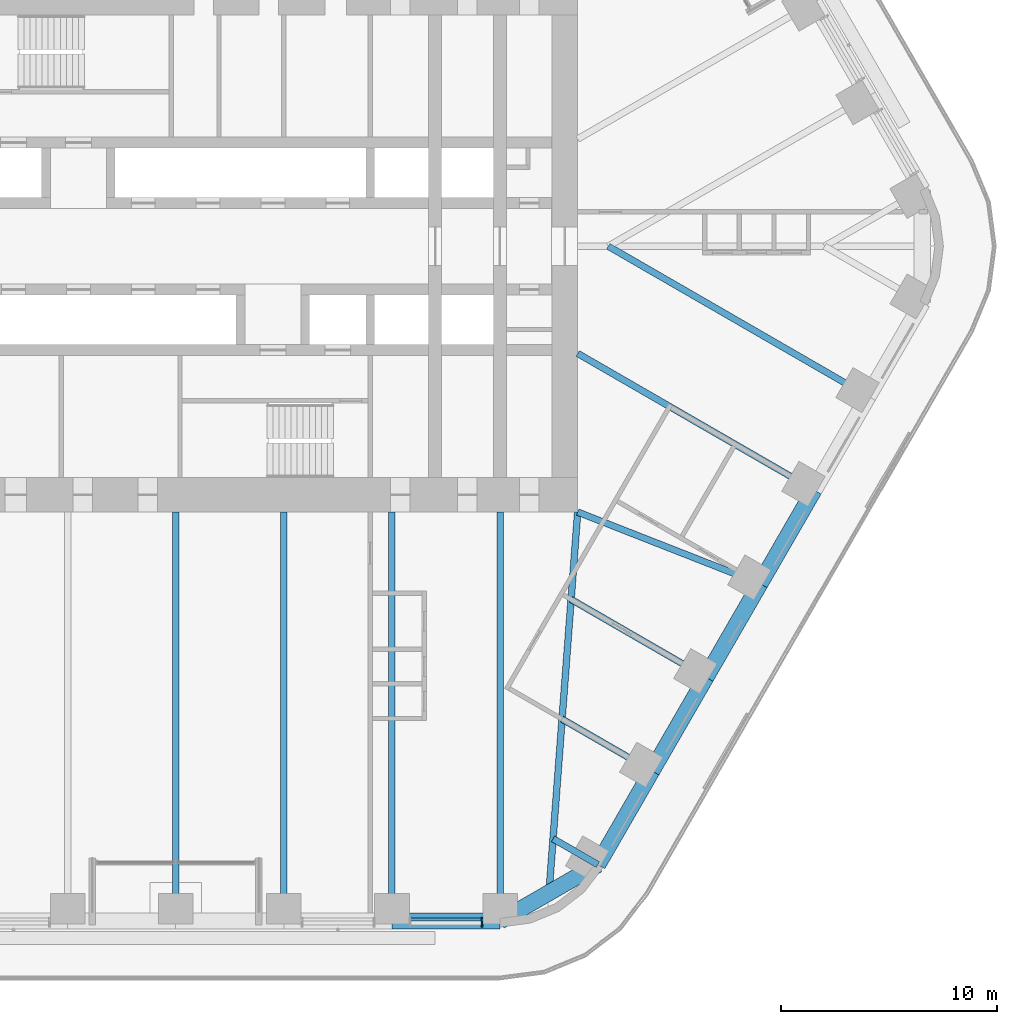
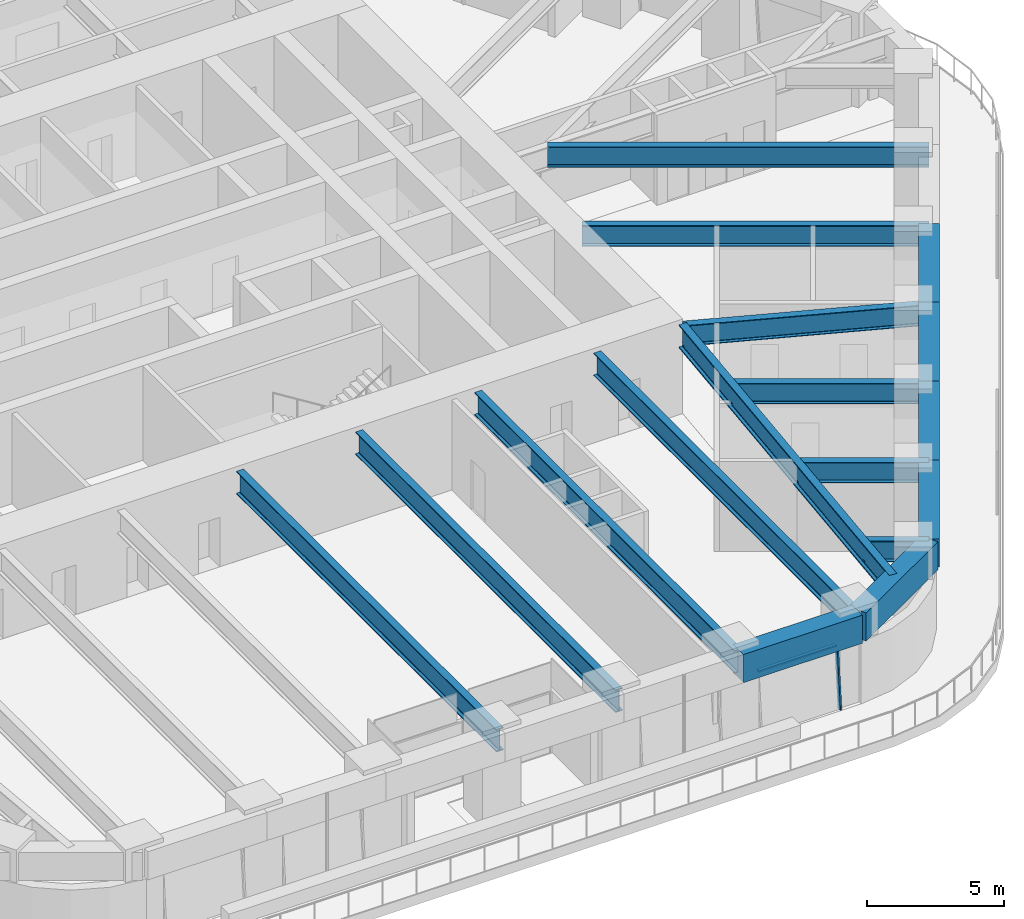
# One storey, part 5 of 24: 17 beams, 2 members, 1 element without a shape of its own.
"""IFC4 building model written with IfcOpenShell, lengths in metres."""

import ifcopenshell
import ifcopenshell.guid

model = None  # the IFC model being written
_history = None  # IfcOwnerHistory: only IFC2X3 demands one
_inside = {}  # id of a spatial element -> (the spatial element, [elements in it])
_under = {}  # id of a project, library or spatial element -> (it, [spatial elements below it])
_declared = {}  # id of a project -> (the project, [libraries it declares])
_typed = {}  # id of a type object -> (the type object, [elements of that type])
_made_of = {}  # id of a material, layer set ... -> (it, [elements and type objects made of it])


def new_model(schema):
    """Start an empty IFC model of exactly this schema.

    Asked for "IFC4X3", IfcOpenShell would pick the latest addendum, in which some entities
    have other attributes; the version numbers below select the first issue.
    IFC2X3 requires an IfcOwnerHistory on every rooted entity: one is made here for all.
    """
    global model, _history
    if schema == "IFC4X3":
        model = ifcopenshell.file(schema_version=(4, 3, 0, 0))
    else:
        model = ifcopenshell.file(schema=schema)
    _inside.clear()
    _under.clear()
    _declared.clear()
    _typed.clear()
    _made_of.clear()
    _history = None
    if model.schema == "IFC2X3":
        org = make("IfcOrganization", Name="unknown")
        user = make(
            "IfcPersonAndOrganization",
            ThePerson=make("IfcPerson", FamilyName="unknown"),
            TheOrganization=org,
        )
        app = make(
            "IfcApplication",
            ApplicationDeveloper=org,
            Version="unknown",
            ApplicationFullName="unknown",
            ApplicationIdentifier="unknown",
        )
        _history = make(
            "IfcOwnerHistory",
            OwningUser=user,
            OwningApplication=app,
            ChangeAction="ADDED",
            CreationDate=0,
        )
    return model


def make(cls, **values):
    """One entity of the class cls with the attributes given. An attribute that is None is left unset."""
    return model.create_entity(
        cls, **{name: value for name, value in values.items() if value is not None}
    )


def rooted(cls, **values):
    """An entity with a GlobalId (a new one), such as an element, a storey or a relation."""
    return make(cls, GlobalId=ifcopenshell.guid.new(), OwnerHistory=_history, **values)


def si_unit(unit_type, name, prefix=None):
    """IfcSIUnit, for example si_unit("LENGTHUNIT", "METRE", prefix="MILLI")."""
    return make("IfcSIUnit", UnitType=unit_type, Prefix=prefix, Name=name)


def assignment(units):
    """IfcUnitAssignment: the units of a project."""
    return None if units is None else make("IfcUnitAssignment", Units=units)


def point(xyz):
    """IfcCartesianPoint."""
    return None if xyz is None else make("IfcCartesianPoint", Coordinates=xyz)


def direction(xyz):
    """IfcDirection."""
    return None if xyz is None else make("IfcDirection", DirectionRatios=xyz)


def frame(location, z_axis=None, x_axis=None):
    """IfcAxis2Placement3D, a coordinate frame: its origin and axes. An axis left out is left unset."""
    return make(
        "IfcAxis2Placement3D",
        Location=point(location),
        Axis=direction(z_axis),
        RefDirection=direction(x_axis),
    )


def frame_2d(location, x_axis=None):
    """IfcAxis2Placement2D, a coordinate frame in the plane: its origin and x axis."""
    return make(
        "IfcAxis2Placement2D", Location=point(location), RefDirection=direction(x_axis)
    )


def origin():
    """The frame at (0, 0, 0) with its axes left unset."""
    return frame((0.0, 0.0, 0.0))


def origin_2d():
    """The frame at (0, 0) in the plane with its x axis left unset."""
    return frame_2d((0.0, 0.0))


def place(relative_to, where):
    """IfcLocalPlacement: puts the frame where relative to a parent placement (None: the world)."""
    return make(
        "IfcLocalPlacement", PlacementRelTo=relative_to, RelativePlacement=where
    )


def context(
    kind, dimensions, precision=None, world=None, true_north=None, identifier=None
):
    """IfcGeometricRepresentationContext, for example the 3D "Model" context."""
    return make(
        "IfcGeometricRepresentationContext",
        ContextIdentifier=identifier,
        ContextType=kind,
        CoordinateSpaceDimension=dimensions,
        Precision=precision,
        WorldCoordinateSystem=world,
        TrueNorth=true_north,
    )


def subcontext(parent, identifier, kind, view, scale=None):
    """IfcGeometricRepresentationSubContext, for example "Body" below "Model"."""
    return make(
        "IfcGeometricRepresentationSubContext",
        ContextIdentifier=identifier,
        ContextType=kind,
        ParentContext=parent,
        TargetScale=scale,
        TargetView=view,
    )


def project(units=None, contexts=None):
    """IfcProject with its units and contexts."""
    return rooted(
        "IfcProject",
        Name="project",
        RepresentationContexts=contexts,
        UnitsInContext=assignment(units),
    )


def spatial(cls, under=None, at=None, **own):
    """A site, building, storey or space (cls), placed at a placement, below another one or the project."""
    s = rooted(cls, ObjectPlacement=at, **own)
    if under is not None:
        _under.setdefault(under.id(), (under, []))[1].append(s)
    return s


def profile(cls, at=None, kind="AREA", **sizes):
    """A parametric profile (cls). Its sizes go by their IFC names, for example OverallWidth=200.0."""
    return make(cls, ProfileType=kind, Position=at, **sizes)


def rectangle(**sizes):
    """IfcRectangleProfileDef."""
    return profile("IfcRectangleProfileDef", **sizes)


def i_section(**sizes):
    """IfcIShapeProfileDef."""
    return profile("IfcIShapeProfileDef", **sizes)


def extrude(swept, where, along, depth):
    """IfcExtrudedAreaSolid: the profile swept, set in the frame where, extruded along a direction by depth."""
    return make(
        "IfcExtrudedAreaSolid",
        SweptArea=swept,
        Position=where,
        ExtrudedDirection=direction(along),
        Depth=depth,
    )


def shape(context_of_items, identifier, shape_type, items):
    """IfcShapeRepresentation: the items that make up one representation, for example the "Body"."""
    return make(
        "IfcShapeRepresentation",
        ContextOfItems=context_of_items,
        RepresentationIdentifier=identifier,
        RepresentationType=shape_type,
        Items=items,
    )


def material(Name=None, Category=None):
    """IfcMaterial."""
    return make("IfcMaterial", Name=Name, Category=Category)


def material_profile(
    of_material, cross_section, Name=None, Category=None, Priority=None
):
    """IfcMaterialProfile: a cross section and its material."""
    return make(
        "IfcMaterialProfile",
        Name=Name,
        Material=of_material,
        Profile=cross_section,
        Priority=Priority,
        Category=Category,
    )


def profile_set(profiles, Name=None, composite=None):
    """IfcMaterialProfileSet."""
    return make(
        "IfcMaterialProfileSet",
        Name=Name,
        MaterialProfiles=profiles,
        CompositeProfile=composite,
    )


def made_of(thing, what):
    """Note that an element or type object is made of a material, layer set ...; save() writes the relation."""
    if what is not None:
        _made_of.setdefault(what.id(), (what, []))[1].append(thing)
    return thing


def type_object(cls, material=None, **own):
    """A type object (cls), such as IfcWallType, which elements share."""
    return made_of(rooted(cls, **own), material)


def element(
    cls,
    number,
    at=None,
    inside=None,
    cuts=None,
    type_object=None,
    material=None,
    context=None,
    identifier="Body",
    shape_type=None,
    held_by="IfcProductDefinitionShape",
    body=None,
    shapes=None,
    **own,
):
    """One element of the class cls, such as IfcWall. Its Tag is "e" and its number.

    at: its placement. inside: the storey or other place that contains it. cuts: it is an
    opening in that element (IfcRelVoidsElement). A single representation is given by context,
    identifier, shape_type and body (its items); several are given by shapes. held_by: the class
    of the entity that holds the representations. save() writes the other relations.
    """
    e = rooted(cls, Tag="e%d" % number, ObjectPlacement=at, **own)
    if body is not None:
        shapes = [shape(context, identifier, shape_type, body)]
    if shapes is not None:
        e.Representation = make(held_by, Representations=shapes)
    if inside is not None:
        _inside.setdefault(inside.id(), (inside, []))[1].append(e)
    if cuts is not None:
        rooted(
            "IfcRelVoidsElement", RelatingBuildingElement=cuts, RelatedOpeningElement=e
        )
    if type_object is not None:
        _typed.setdefault(type_object.id(), (type_object, []))[1].append(e)
    return made_of(e, material)


def aggregate(whole, parts):
    """IfcRelAggregates: a whole, such as a stair, and the parts it consists of."""
    return rooted("IfcRelAggregates", RelatingObject=whole, RelatedObjects=parts)


def save(model, path):
    """Write the relations noted so far, then the file.

    IfcRelAggregates (storeys below a building ...), IfcRelContainedInSpatialStructure (elements
    in a storey), IfcRelDefinesByType, IfcRelAssociatesMaterial and IfcRelDeclares: one each for
    every whole, place, type object, material and project.
    """
    for whole, parts in _under.values():
        aggregate(whole, parts)
    for where, things in _inside.values():
        rooted(
            "IfcRelContainedInSpatialStructure",
            RelatedElements=things,
            RelatingStructure=where,
        )
    for kind, things in _typed.values():
        rooted("IfcRelDefinesByType", RelatedObjects=things, RelatingType=kind)
    for what, things in _made_of.values():
        rooted("IfcRelAssociatesMaterial", RelatedObjects=things, RelatingMaterial=what)
    for by, libraries in _declared.values():
        rooted("IfcRelDeclares", RelatingContext=by, RelatedDefinitions=libraries)
    model.write(path)


model = new_model("IFC4")

# Units and contexts
model_context = context("Model", 3, precision=1e-05, world=origin(), true_north=direction((0.0, 1.0)))
body_context = subcontext(model_context, "Body", "Model", "MODEL_VIEW")
ifc_project = project(units=[si_unit("LENGTHUNIT", "METRE"), si_unit("AREAUNIT", "SQUARE_METRE"), si_unit("VOLUMEUNIT", "CUBIC_METRE"), si_unit("PLANEANGLEUNIT", "RADIAN"), si_unit("MASSUNIT", "GRAM", prefix="KILO")], contexts=[model_context])

# Site, building, storey
site_placement = place(None, origin())
site = spatial("IfcSite", under=ifc_project, at=site_placement, CompositionType="ELEMENT")
building_placement = place(site_placement, origin())
building = spatial("IfcBuilding", under=site, at=building_placement, Name="Tarfa Lantern Tower", CompositionType="ELEMENT")
storey_placement = place(building_placement, frame((0.0, 0.0, 161.5)))
storey = spatial("IfcBuildingStorey", under=building, at=storey_placement, Name="L36", CompositionType="ELEMENT", Elevation=161.5)

# Curtain wall, members
ifc_material_1 = material(Name="Aluminium framed curtain wall", Category="aluminium")
curtain_wall_type = type_object("IfcCurtainWallType", Name="CW2 CANTED GLAZING MID ZONE 2750", PredefinedType="USERDEFINED", material=ifc_material_1)
curtain_wall_placement = place(storey_placement, origin())
curtain_wall = element("IfcCurtainWall", 1, at=curtain_wall_placement, inside=storey, type_object=curtain_wall_type, Name="CW2 SB L36", ObjectType="CURTAIN WALL", PredefinedType="USERDEFINED")
ifc_material_2 = material(Name="Aluminium mullion", Category="aluminium")
ifc_material_profile_1 = material_profile(ifc_material_2, rectangle(XDim=0.06494140625, YDim=0.199951171875, at=origin_2d()), Name="AL MULLION 65x200")
ifc_profile_set_1 = profile_set([ifc_material_profile_1], Name="Aluminium mullion")
member_type_1 = type_object("IfcMemberType", Name="CWM1 MULLION 65x200", PredefinedType="MULLION", material=ifc_profile_set_1)
member_1_placement = place(storey_placement, frame((14.1787109375, -31.39990234375, 0.0), z_axis=(0.0, 0.090535746043, 0.995893206468), x_axis=(-1.0, 0.0, 0.0)))
member_1 = element("IfcMember", 2, at=member_1_placement, type_object=member_type_1, Name="CW2 mullion 2", PredefinedType="MULLION", context=body_context, shape_type="SweptSolid", body=[
    extrude(rectangle(XDim=0.06494140625, YDim=0.199951171875, at=origin_2d()), origin(), (0.0, 0.0, 1.0), 2.76123046875),
])
ifc_material_3 = material(Name="Aluminium transom", Category="aluminium")
ifc_material_profile_2 = material_profile(ifc_material_3, rectangle(XDim=0.14990234375, YDim=0.06494140625, at=origin_2d()), Name="AL TRANSOM 150x65")
ifc_profile_set_2 = profile_set([ifc_material_profile_2], Name="Aluminium transom")
member_type_2 = type_object("IfcMemberType", Name="CWT1 TRANSOM 150x65", PredefinedType="USERDEFINED", material=ifc_profile_set_2)
member_2_placement = place(storey_placement, frame((10.872314453125, -31.153076171875, 2.717529296875), z_axis=(1.0, 0.0, 0.0), x_axis=(0.0, 1.0, 0.0)))
member_2 = element("IfcMember", 3, at=member_2_placement, type_object=member_type_2, Name="CW2 transom 1.2", ObjectType="TRANSOM", PredefinedType="USERDEFINED", context=body_context, shape_type="SweptSolid", body=[
    extrude(rectangle(XDim=0.14990234375, YDim=0.06494140625, at=origin_2d()), origin(), (0.0, 0.0, 1.0), 3.273681640625),
])
aggregate(curtain_wall, [member_1, member_2])

# Beams
ifc_material_4 = material(Name="Concrete C80/95", Category="concrete")
ifc_material_profile_3 = material_profile(ifc_material_4, rectangle(XDim=0.75, YDim=1.25, at=origin_2d()), Name="RC 750x1250")
ifc_profile_set_3 = profile_set([ifc_material_profile_3], Name="Concrete C80/95")
beam_type_1 = type_object("IfcBeamType", Name="EB2 RC 750x1250", PredefinedType="SPANDREL", material=ifc_profile_set_3)
beam_1_placement = place(storey_placement, frame((10.00732421875, -31.219970703125, 3.375), z_axis=(1.0, 0.0, 0.0), x_axis=(0.0, 1.0, 0.0)))
element("IfcBeam", 4, at=beam_1_placement, inside=storey, type_object=beam_type_1, Name="Edge beam S5", PredefinedType="SPANDREL", context=body_context, shape_type="SweptSolid", body=[
    extrude(rectangle(XDim=0.75, YDim=1.25, at=origin_2d()), origin(), (0.0, 0.0, 1.0), 5.003662109375),
])
beam_2_placement = place(storey_placement, frame((15.010986328125, -31.219970703125, 3.375), z_axis=(0.86604150238, 0.499972115377, 0.0), x_axis=(-0.499972115377, 0.86604150238, 0.0)))
element("IfcBeam", 5, at=beam_2_placement, inside=storey, type_object=beam_type_1, Name="Edge beam S6", PredefinedType="SPANDREL", context=body_context, shape_type="SweptSolid", body=[
    extrude(rectangle(XDim=0.75, YDim=1.25, at=origin_2d()), origin(), (0.0, 0.0, 1.0), 5.219970703125),
])
beam_3_placement = place(storey_placement, frame((19.53173828125, -28.610107421875, 3.375), z_axis=(0.500001197378, 0.866024712477, 0.0), x_axis=(-0.866024712477, 0.500001197378, 0.0)))
element("IfcBeam", 6, at=beam_3_placement, inside=storey, type_object=beam_type_1, Name="Edge beam SE0", PredefinedType="SPANDREL", context=body_context, shape_type="SweptSolid", body=[
    extrude(rectangle(XDim=0.75, YDim=1.25, at=origin_2d()), origin(), (0.0, 0.0, 1.0), 5.00390625),
])
for number, where, z_axis, x_axis, name in (
    (7, (22.03369140625, -24.276611328125, 3.375), (0.49998573051, 0.866033642122, 0.0), (-0.866033642122, 0.49998573051, 0.0), "Edge beam SE1"),
    (8, (24.535400390625, -19.943359375, 3.375), (0.500022324899, 0.866012514114, 0.0), (-0.866012514114, 0.500022324899, 0.0), "Edge beam SE2"),
    (9, (27.037353515625, -15.610107421875, 3.375), (0.499964603504, 0.866045838996, 0.0), (-0.866045838996, 0.499964603504, 0.0), "Edge beam SE3"),
):
    element("IfcBeam", number, at=place(storey_placement, frame(where, z_axis=z_axis, x_axis=x_axis)), inside=storey, type_object=beam_type_1, Name=name, PredefinedType="SPANDREL", context=body_context, shape_type="SweptSolid", body=[
        extrude(rectangle(XDim=0.75, YDim=1.25, at=origin_2d()), origin(), (0.0, 0.0, 1.0), 5.003662109375),
    ])
ifc_material_5 = material(Name="Steel S460M", Category="steel")
ifc_material_profile_4 = material_profile(ifc_material_5, i_section(OverallWidth=0.302001953125, OverallDepth=1.008056640625, WebThickness=0.02099609375, FlangeThickness=0.0400390625, FilletRadius=0.030029296875, at=origin_2d()), Name="UB1016x305x349")
ifc_profile_set_4 = profile_set([ifc_material_profile_4], Name="Steel S460M")
beam_type_2 = type_object("IfcBeamType", Name="UB1016x305x349", PredefinedType="BEAM", material=ifc_profile_set_4)
for number, where, z_axis, x_axis, name in (
    (10, (0.0, -31.219970703125, 3.495849609375), (0.0, 1.0, 0.0), (-1.0, 0.0, 0.0), "Floor beam S3"),
    (11, (5.003662109375, -31.219970703125, 3.495849609375), (0.0, 1.0, 0.0), (-1.0, 0.0, 0.0), "Floor beam S4"),
    (12, (10.00732421875, -31.219970703125, 3.495849609375), (0.0, 1.0, 0.0), (-1.0, 0.0, 0.0), "Floor beam S5"),
    (13, (15.010986328125, -31.219970703125, 3.495849609375), (0.0, 1.0, 0.0), (-1.0, 0.0, 0.0), "Floor beam S6"),
):
    element("IfcBeam", number, at=place(storey_placement, frame(where, z_axis=z_axis, x_axis=x_axis)), inside=storey, type_object=beam_type_2, Name=name, PredefinedType="BEAM", context=body_context, shape_type="SweptSolid", body=[
        extrude(i_section(OverallWidth=0.302001953125, OverallDepth=1.008056640625, WebThickness=0.02099609375, FlangeThickness=0.0400390625, FilletRadius=0.030029296875, at=origin_2d()), origin(), (0.0, 0.0, 1.0), 18.919921875),
    ])
ifc_material_profile_5 = material_profile(ifc_material_5, i_section(OverallWidth=0.30859375, OverallDepth=1.036376953125, WebThickness=0.030029296875, FlangeThickness=0.05419921875, FilletRadius=0.030029296875, at=origin_2d()), Name="UB1016x305x487")
ifc_profile_set_5 = profile_set([ifc_material_profile_5], Name="Steel S460M")
beam_type_3 = type_object("IfcBeamType", Name="UB1016x305x487", PredefinedType="BEAM", material=ifc_profile_set_5)
beam_4_placement = place(storey_placement, frame((18.60009765625, -12.300048828125, 3.48193359375), z_axis=(-0.075211516041, -0.99716760269, 0.0), x_axis=(0.99716760269, -0.075211516041, 0.0)))
element("IfcBeam", 14, at=beam_4_placement, inside=storey, type_object=beam_type_3, Name="Hip girder SE", PredefinedType="BEAM", context=body_context, shape_type="SweptSolid", body=[
    extrude(i_section(OverallWidth=0.30859375, OverallDepth=1.036376953125, WebThickness=0.030029296875, FlangeThickness=0.05419921875, FilletRadius=0.030029296875, at=origin_2d()), origin(), (0.0, 0.0, 1.0), 17.6650390625),
])
ifc_material_profile_6 = material_profile(ifc_material_5, i_section(OverallWidth=0.305419921875, OverallDepth=0.91845703125, WebThickness=0.017333984375, FlangeThickness=0.02783203125, FilletRadius=0.01904296875, at=origin_2d()), Name="UB914x305x253")
ifc_profile_set_6 = profile_set([ifc_material_profile_6], Name="Steel S460M")
beam_type_4 = type_object("IfcBeamType", Name="UB914x305x253", PredefinedType="BEAM", material=ifc_profile_set_6)
beam_5_placement = place(storey_placement, frame((19.53173828125, -28.610107421875, 3.540771484375), z_axis=(-0.865998640954, 0.500046351717, 0.0), x_axis=(-0.500046351717, -0.865998640954, 0.0)))
element("IfcBeam", 15, at=beam_5_placement, inside=storey, type_object=beam_type_4, Name="Floor beam SE0", PredefinedType="BEAM", context=body_context, shape_type="SweptSolid", body=[
    extrude(i_section(OverallWidth=0.305419921875, OverallDepth=0.91845703125, WebThickness=0.017333984375, FlangeThickness=0.02783203125, FilletRadius=0.01904296875, at=origin_2d()), origin(), (0.0, 0.0, 1.0), 2.392333984375),
])
beam_6_placement = place(storey_placement, frame((22.03369140625, -24.276611328125, 3.540771484375), z_axis=(-0.866030550462, 0.499991085587, 0.0), x_axis=(-0.499991085587, -0.866030550462, 0.0)))
element("IfcBeam", 16, at=beam_6_placement, inside=storey, type_object=beam_type_4, Name="Floor beam SE1", PredefinedType="BEAM", context=body_context, shape_type="SweptSolid", body=[
    extrude(i_section(OverallWidth=0.305419921875, OverallDepth=0.91845703125, WebThickness=0.017333984375, FlangeThickness=0.02783203125, FilletRadius=0.01904296875, at=origin_2d()), origin(), (0.0, 0.0, 1.0), 4.798828125),
])
beam_7_placement = place(storey_placement, frame((24.535400390625, -19.943359375, 3.540771484375), z_axis=(-0.86602647304, 0.499998147991, 0.0), x_axis=(-0.499998147991, -0.86602647304, 0.0)))
element("IfcBeam", 17, at=beam_7_placement, inside=storey, type_object=beam_type_4, Name="Floor beam SE2", PredefinedType="BEAM", context=body_context, shape_type="SweptSolid", body=[
    extrude(i_section(OverallWidth=0.305419921875, OverallDepth=0.91845703125, WebThickness=0.017333984375, FlangeThickness=0.02783203125, FilletRadius=0.01904296875, at=origin_2d()), origin(), (0.0, 0.0, 1.0), 7.20556640625),
])
beam_8_placement = place(storey_placement, frame((27.037353515625, -15.610107421875, 3.540771484375), z_axis=(-0.930923282782, 0.365214788274, 0.0), x_axis=(-0.365214788274, -0.930923282782, 0.0)))
element("IfcBeam", 18, at=beam_8_placement, inside=storey, type_object=beam_type_4, Name="Floor beam SE3", PredefinedType="BEAM", context=body_context, shape_type="SweptSolid", body=[
    extrude(i_section(OverallWidth=0.305419921875, OverallDepth=0.91845703125, WebThickness=0.017333984375, FlangeThickness=0.02783203125, FilletRadius=0.01904296875, at=origin_2d()), origin(), (0.0, 0.0, 1.0), 9.063232421875),
])
beam_9_placement = place(storey_placement, frame((29.5390625, -11.276611328125, 3.540771484375), z_axis=(-0.866023362995, 0.500003534735, 0.0), x_axis=(-0.500003534735, -0.866023362995, 0.0)))
element("IfcBeam", 19, at=beam_9_placement, inside=storey, type_object=beam_type_4, Name="Floor beam SE4", PredefinedType="BEAM", context=body_context, shape_type="SweptSolid", body=[
    extrude(i_section(OverallWidth=0.305419921875, OverallDepth=0.91845703125, WebThickness=0.017333984375, FlangeThickness=0.02783203125, FilletRadius=0.01904296875, at=origin_2d()), origin(), (0.0, 0.0, 1.0), 12.63134765625),
])
beam_10_placement = place(storey_placement, frame((32.041015625, -6.943359375, 3.540771484375), z_axis=(-0.866023096411, 0.500003996466, 0.0), x_axis=(-0.500003996466, -0.866023096411, 0.0)))
element("IfcBeam", 20, at=beam_10_placement, inside=storey, type_object=beam_type_4, Name="Floor beam SE5", PredefinedType="BEAM", context=body_context, shape_type="SweptSolid", body=[
    extrude(i_section(OverallWidth=0.305419921875, OverallDepth=0.91845703125, WebThickness=0.017333984375, FlangeThickness=0.02783203125, FilletRadius=0.01904296875, at=origin_2d()), origin(), (0.0, 0.0, 1.0), 13.88671875),
])

save(model, "model.ifc")
